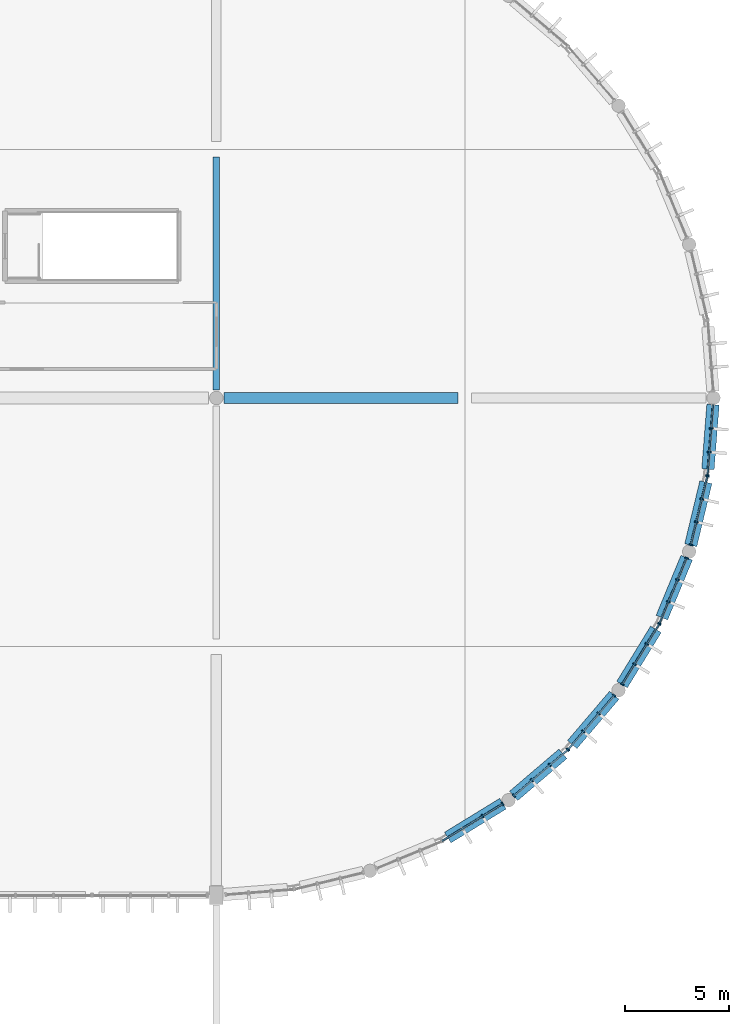
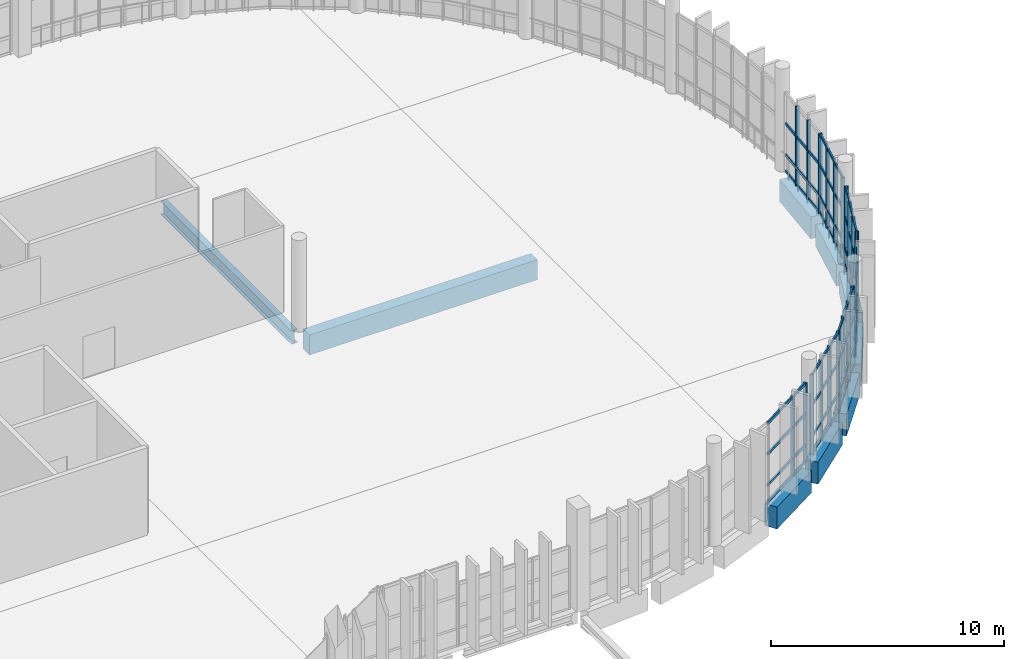
# One storey, part 49 of 112: 52 members, 9 beams, 7 elements without a shape of their own.
"""IFC4 building model written with IfcOpenShell, lengths in metres."""

from ifc_helpers import new_model, si_unit, direction, frame, origin, origin_2d, place, context, subcontext, project, spatial, rectangle, i_section, extrude, material, material_profile, profile_set, type_object, element, aggregate, save


model = new_model("IFC4")

# Units and contexts
model_context = context("Model", 3, precision=1e-05, world=origin(), true_north=direction((0.0, 1.0)))
body_context = subcontext(model_context, "Body", "Model", "MODEL_VIEW")
ifc_project = project(units=[si_unit("LENGTHUNIT", "METRE"), si_unit("AREAUNIT", "SQUARE_METRE"), si_unit("VOLUMEUNIT", "CUBIC_METRE"), si_unit("PLANEANGLEUNIT", "RADIAN"), si_unit("MASSUNIT", "GRAM", prefix="KILO")], contexts=[model_context])

# Site, building, storey
site_placement = place(None, origin())
site = spatial("IfcSite", under=ifc_project, at=site_placement, CompositionType="ELEMENT")
building_placement = place(site_placement, origin())
building = spatial("IfcBuilding", under=site, at=building_placement, Name="Kamomehara Wholesale Market", CompositionType="ELEMENT")
storey_placement = place(building_placement, frame((0.0, 0.0, 6.60009765625)))
storey = spatial("IfcBuildingStorey", under=building, at=storey_placement, Name="L01", CompositionType="ELEMENT", Elevation=6.60009765625)

# Beams
ifc_material_1 = material(Name="Precast concrete Fc45 (C40/50)", Category="concrete")
ifc_material_profile_1 = material_profile(ifc_material_1, rectangle(XDim=0.550048828125, YDim=1.050048828125, at=origin_2d()), Name="PC-GRD-550x1050")
ifc_profile_set_1 = profile_set([ifc_material_profile_1], Name="Precast concrete Fc45 (C40/50)")
beam_type_1 = type_object("IfcBeamType", Name="BM-PG1050", PredefinedType="T_BEAM", material=ifc_profile_set_1)
beam_1_placement = place(storey_placement, frame((180.375, 132.0, -0.8671875), z_axis=(1.0, 0.0, 0.0), x_axis=(0.0, 1.0, 0.0)))
element("IfcBeam", 1, at=beam_1_placement, inside=storey, type_object=beam_type_1, Name="Beam PG-08 L01", PredefinedType="T_BEAM", context=body_context, shape_type="SweptSolid", body=[
    extrude(rectangle(XDim=0.550048828125, YDim=1.050048828125, at=origin_2d()), origin(), (0.0, 0.0, 1.0), 11.300048828125),
])
ifc_material_2 = material(Name="Concrete Fc36 (C35/45)", Category="concrete")
ifc_material_profile_2 = material_profile(ifc_material_2, rectangle(XDim=0.60009765625, YDim=1.14990234375, at=origin_2d()), Name="RC-SEB-600x1150")
ifc_profile_set_2 = profile_set([ifc_material_profile_2], Name="Concrete Fc36 (C35/45)")
beam_type_2 = type_object("IfcBeamType", Name="BM-SEB1150-EXT", PredefinedType="SPANDREL", material=ifc_profile_set_2)
beam_2_placement = place(storey_placement, frame((191.1689453125, 110.782958984375, -0.927001953125), z_axis=(0.852512568137, 0.522706725773, 0.0), x_axis=(-0.522706725773, 0.852512568137, 0.0)))
element("IfcBeam", 2, at=beam_2_placement, inside=storey, type_object=beam_type_2, Name="Beam SEB-02E L01", PredefinedType="SPANDREL", context=body_context, shape_type="SweptSolid", body=[
    extrude(rectangle(XDim=0.60009765625, YDim=1.14990234375, at=origin_2d()), origin(), (0.0, 0.0, 1.0), 3.126220703125),
])
for number, where, z_axis, x_axis, name in (
    (3, (194.35009765625, 112.7919921875, -0.927001953125), (0.760704641809, 0.649098180501, 0.0), (-0.649098180501, 0.760704641809, 0.0), "Beam SEB-02E L01"),
    (4, (197.178955078125, 115.27197265625, -0.927001953125), (0.649098180501, 0.760704641809, 0.0), (-0.760704641809, 0.649098180501, 0.0), "Beam SEB-02E L01"),
):
    element("IfcBeam", number, at=place(storey_placement, frame(where, z_axis=z_axis, x_axis=x_axis)), inside=storey, type_object=beam_type_2, Name=name, PredefinedType="SPANDREL", context=body_context, shape_type="SweptSolid", body=[
        extrude(rectangle(XDim=0.60009765625, YDim=1.14990234375, at=origin_2d()), origin(), (0.0, 0.0, 1.0), 3.1259765625),
    ])
for number, where, z_axis, x_axis, name in (
    (5, (199.5830078125, 118.166015625, -0.927001953125), (0.522706725773, 0.852512568137, 0.0), (-0.852512568137, 0.522706725773, 0.0), "Beam SEB-02E L01"),
    (6, (201.506103515625, 121.39990234375, -0.897216796875), (0.382806979073, 0.923828348111, 0.0), (-0.923828348111, 0.382806979073, 0.0), "Beam SEB-02E L01"),
):
    element("IfcBeam", number, at=place(storey_placement, frame(where, z_axis=z_axis, x_axis=x_axis)), inside=storey, type_object=beam_type_2, Name=name, PredefinedType="SPANDREL", context=body_context, shape_type="SweptSolid", body=[
        extrude(rectangle(XDim=0.60009765625, YDim=1.14990234375, at=origin_2d()), origin(), (0.0, 0.0, 1.0), 3.126220703125),
    ])
beam_3_placement = place(storey_placement, frame((202.89990234375, 124.89501953125, -0.897216796875), z_axis=(0.233485181261, 0.972360360222, 0.0), x_axis=(-0.972360360222, 0.233485181261, 0.0)))
element("IfcBeam", 7, at=beam_3_placement, inside=storey, type_object=beam_type_2, Name="Beam SEB-02E L01", PredefinedType="SPANDREL", context=body_context, shape_type="SweptSolid", body=[
    extrude(rectangle(XDim=0.60009765625, YDim=1.14990234375, at=origin_2d()), origin(), (0.0, 0.0, 1.0), 3.12646484375),
])
beam_4_placement = place(storey_placement, frame((203.72998046875, 128.56494140625, -0.897216796875), z_axis=(0.078422618872, 0.996920203852, 0.0), x_axis=(-0.996920203852, 0.078422618872, 0.0)))
element("IfcBeam", 8, at=beam_4_placement, inside=storey, type_object=beam_type_2, Name="Beam SEB-02E L01", PredefinedType="SPANDREL", context=body_context, shape_type="SweptSolid", body=[
    extrude(rectangle(XDim=0.60009765625, YDim=1.14990234375, at=origin_2d()), origin(), (0.0, 0.0, 1.0), 3.12548828125),
])
ifc_material_3 = material(Name="Steel SN490B", Category="steel")
ifc_material_profile_3 = material_profile(ifc_material_3, i_section(OverallWidth=0.300048828125, OverallDepth=0.699951171875, WebThickness=0.012939453125, FlangeThickness=0.02392578125, FilletRadius=0.02197265625, at=origin_2d()), Name="H-700x300x13x24")
ifc_profile_set_3 = profile_set([ifc_material_profile_3], Name="Steel SN490B")
beam_type_3 = type_object("IfcBeamType", Name="BM-ST-H700", PredefinedType="BEAM", material=ifc_profile_set_3)
beam_5_placement = place(storey_placement, frame((180.0, 132.375, -0.692138671875), z_axis=(0.0, 1.0, 0.0), x_axis=(-1.0, 0.0, 0.0)))
element("IfcBeam", 9, at=beam_5_placement, inside=storey, type_object=beam_type_3, Name="Beam SG-03 L01", PredefinedType="BEAM", context=body_context, shape_type="SweptSolid", body=[
    extrude(i_section(OverallWidth=0.300048828125, OverallDepth=0.699951171875, WebThickness=0.012939453125, FlangeThickness=0.02392578125, FilletRadius=0.02197265625, at=origin_2d()), origin(), (0.0, 0.0, 1.0), 11.25),
])

# Curtain wall, members
ifc_material_4 = material(Name="Anodised aluminium 6063-T5", Category="aluminium")
curtain_wall_type = type_object("IfcCurtainWallType", Name="CW-UN-05", PredefinedType="NOTDEFINED", material=ifc_material_4)
curtain_wall_1_placement = place(storey_placement, origin())
curtain_wall_1 = element("IfcCurtainWall", 10, at=curtain_wall_1_placement, inside=storey, type_object=curtain_wall_type, Name="Unitised curtain wall CW-107", PredefinedType="NOTDEFINED")
ifc_material_5 = material(Name="Anodised aluminium 6063-T5", Category="aluminium")
ifc_material_profile_4 = material_profile(ifc_material_5, rectangle(XDim=0.074951171875, YDim=0.179931640625, at=origin_2d()), Name="ALU-MUL-75x180")
ifc_profile_set_4 = profile_set([ifc_material_profile_4], Name="Anodised aluminium 6063-T5")
member_type_1 = type_object("IfcMemberType", Name="CW-MUL-180", PredefinedType="MULLION", material=ifc_profile_set_4)
member_1_placement = place(storey_placement, frame((203.885009765625, 130.529052734375, 0.0), z_axis=(0.0, 0.0, 1.0), x_axis=(-0.078351218432, -0.996925817988, 0.0)))
member_1 = element("IfcMember", 11, at=member_1_placement, type_object=member_type_1, Name="Mullion CW-107.1", PredefinedType="MULLION", context=body_context, shape_type="SweptSolid", body=[
    extrude(rectangle(XDim=0.074951171875, YDim=0.179931640625, at=origin_2d()), origin(), (0.0, 0.0, 1.0), 4.179931640625),
])
member_2_placement = place(storey_placement, frame((203.794921875, 129.39306640625, 0.0), z_axis=(0.0, 0.0, 1.0), x_axis=(-0.078351218432, -0.996925817988, 0.0)))
member_2 = element("IfcMember", 12, at=member_2_placement, type_object=member_type_1, Name="Mullion CW-107.2", PredefinedType="MULLION", context=body_context, shape_type="SweptSolid", body=[
    extrude(rectangle(XDim=0.074951171875, YDim=0.179931640625, at=origin_2d()), origin(), (0.0, 0.0, 1.0), 4.179931640625),
])
member_3_placement = place(storey_placement, frame((203.7060546875, 128.256103515625, 0.0), z_axis=(0.0, 0.0, 1.0), x_axis=(-0.078351218432, -0.996925817988, 0.0)))
member_3 = element("IfcMember", 13, at=member_3_placement, type_object=member_type_1, Name="Mullion CW-107.3", PredefinedType="MULLION", context=body_context, shape_type="SweptSolid", body=[
    extrude(rectangle(XDim=0.074951171875, YDim=0.179931640625, at=origin_2d()), origin(), (0.0, 0.0, 1.0), 4.179931640625),
])

curtain_wall_2_placement = place(storey_placement, origin())
curtain_wall_2 = element("IfcCurtainWall", 14, at=curtain_wall_2_placement, inside=storey, type_object=curtain_wall_type, Name="Unitised curtain wall CW-108", PredefinedType="NOTDEFINED")
member_4_placement = place(storey_placement, frame((203.702880859375, 128.236083984375, 0.0), z_axis=(0.0, 0.0, 1.0), x_axis=(-0.233859436457, -0.972270417106, 0.0)))
member_4 = element("IfcMember", 15, at=member_4_placement, type_object=member_type_1, Name="Mullion CW-108.0", PredefinedType="MULLION", context=body_context, shape_type="SweptSolid", body=[
    extrude(rectangle(XDim=0.074951171875, YDim=0.179931640625, at=origin_2d()), origin(), (0.0, 0.0, 1.0), 4.179931640625),
])
member_5_placement = place(storey_placement, frame((203.43603515625, 127.126953125, 0.0), z_axis=(0.0, 0.0, 1.0), x_axis=(-0.233859436457, -0.972270417106, 0.0)))
member_5 = element("IfcMember", 16, at=member_5_placement, type_object=member_type_1, Name="Mullion CW-108.1", PredefinedType="MULLION", context=body_context, shape_type="SweptSolid", body=[
    extrude(rectangle(XDim=0.074951171875, YDim=0.179931640625, at=origin_2d()), origin(), (0.0, 0.0, 1.0), 4.179931640625),
])
member_6_placement = place(storey_placement, frame((203.169921875, 126.01904296875, 0.0), z_axis=(0.0, 0.0, 1.0), x_axis=(-0.233859436457, -0.972270417106, 0.0)))
member_6 = element("IfcMember", 17, at=member_6_placement, type_object=member_type_1, Name="Mullion CW-108.2", PredefinedType="MULLION", context=body_context, shape_type="SweptSolid", body=[
    extrude(rectangle(XDim=0.074951171875, YDim=0.179931640625, at=origin_2d()), origin(), (0.0, 0.0, 1.0), 4.179931640625),
])
member_7_placement = place(storey_placement, frame((202.903076171875, 124.909912109375, 0.0), z_axis=(0.0, 0.0, 1.0), x_axis=(-0.233859436457, -0.972270417106, 0.0)))
member_7 = element("IfcMember", 18, at=member_7_placement, type_object=member_type_1, Name="Mullion CW-108.3", PredefinedType="MULLION", context=body_context, shape_type="SweptSolid", body=[
    extrude(rectangle(XDim=0.074951171875, YDim=0.179931640625, at=origin_2d()), origin(), (0.0, 0.0, 1.0), 4.179931640625),
])

curtain_wall_3_placement = place(storey_placement, origin())
curtain_wall_3 = element("IfcCurtainWall", 19, at=curtain_wall_3_placement, inside=storey, type_object=curtain_wall_type, Name="Unitised curtain wall CW-109", PredefinedType="NOTDEFINED")
member_8_placement = place(storey_placement, frame((202.697021484375, 124.27392578125, 0.0), z_axis=(0.0, 0.0, 1.0), x_axis=(-0.382601194677, -0.923913592189, 0.0)))
member_8 = element("IfcMember", 20, at=member_8_placement, type_object=member_type_1, Name="Mullion CW-109.0", PredefinedType="MULLION", context=body_context, shape_type="SweptSolid", body=[
    extrude(rectangle(XDim=0.074951171875, YDim=0.179931640625, at=origin_2d()), origin(), (0.0, 0.0, 1.0), 4.179931640625),
])
member_9_placement = place(storey_placement, frame((202.260986328125, 123.219970703125, 0.0), z_axis=(0.0, 0.0, 1.0), x_axis=(-0.382601194677, -0.923913592189, 0.0)))
member_9 = element("IfcMember", 21, at=member_9_placement, type_object=member_type_1, Name="Mullion CW-109.1", PredefinedType="MULLION", context=body_context, shape_type="SweptSolid", body=[
    extrude(rectangle(XDim=0.074951171875, YDim=0.179931640625, at=origin_2d()), origin(), (0.0, 0.0, 1.0), 4.179931640625),
])
member_10_placement = place(storey_placement, frame((201.823974609375, 122.1669921875, 0.0), z_axis=(0.0, 0.0, 1.0), x_axis=(-0.382601194677, -0.923913592189, 0.0)))
member_10 = element("IfcMember", 22, at=member_10_placement, type_object=member_type_1, Name="Mullion CW-109.2", PredefinedType="MULLION", context=body_context, shape_type="SweptSolid", body=[
    extrude(rectangle(XDim=0.074951171875, YDim=0.179931640625, at=origin_2d()), origin(), (0.0, 0.0, 1.0), 4.179931640625),
])
member_11_placement = place(storey_placement, frame((201.387939453125, 121.113037109375, 0.0), z_axis=(0.0, 0.0, 1.0), x_axis=(-0.382601194677, -0.923913592189, 0.0)))
member_11 = element("IfcMember", 23, at=member_11_placement, type_object=member_type_1, Name="Mullion CW-109.3", PredefinedType="MULLION", context=body_context, shape_type="SweptSolid", body=[
    extrude(rectangle(XDim=0.074951171875, YDim=0.179931640625, at=origin_2d()), origin(), (0.0, 0.0, 1.0), 4.179931640625),
])

curtain_wall_4_placement = place(storey_placement, origin())
curtain_wall_4 = element("IfcCurtainWall", 24, at=curtain_wall_4_placement, inside=storey, type_object=curtain_wall_type, Name="Unitised curtain wall CW-110", PredefinedType="NOTDEFINED")
member_12_placement = place(storey_placement, frame((201.37890625, 121.094970703125, 0.0), z_axis=(0.0, 0.0, 1.0), x_axis=(-0.522726231171, -0.852500608355, 0.0)))
member_12 = element("IfcMember", 25, at=member_12_placement, type_object=member_type_1, Name="Mullion CW-110.0", PredefinedType="MULLION", context=body_context, shape_type="SweptSolid", body=[
    extrude(rectangle(XDim=0.074951171875, YDim=0.179931640625, at=origin_2d()), origin(), (0.0, 0.0, 1.0), 4.179931640625),
])
member_13_placement = place(storey_placement, frame((200.782958984375, 120.123046875, 0.0), z_axis=(0.0, 0.0, 1.0), x_axis=(-0.522726231171, -0.852500608355, 0.0)))
member_13 = element("IfcMember", 26, at=member_13_placement, type_object=member_type_1, Name="Mullion CW-110.1", PredefinedType="MULLION", context=body_context, shape_type="SweptSolid", body=[
    extrude(rectangle(XDim=0.074951171875, YDim=0.179931640625, at=origin_2d()), origin(), (0.0, 0.0, 1.0), 4.179931640625),
])
member_14_placement = place(storey_placement, frame((200.18701171875, 119.15087890625, 0.0), z_axis=(0.0, 0.0, 1.0), x_axis=(-0.522726231171, -0.852500608355, 0.0)))
member_14 = element("IfcMember", 27, at=member_14_placement, type_object=member_type_1, Name="Mullion CW-110.2", PredefinedType="MULLION", context=body_context, shape_type="SweptSolid", body=[
    extrude(rectangle(XDim=0.074951171875, YDim=0.179931640625, at=origin_2d()), origin(), (0.0, 0.0, 1.0), 4.179931640625),
])
member_15_placement = place(storey_placement, frame((199.591064453125, 118.178955078125, 0.0), z_axis=(0.0, 0.0, 1.0), x_axis=(-0.522726231171, -0.852500608355, 0.0)))
member_15 = element("IfcMember", 28, at=member_15_placement, type_object=member_type_1, Name="Mullion CW-110.3", PredefinedType="MULLION", context=body_context, shape_type="SweptSolid", body=[
    extrude(rectangle(XDim=0.074951171875, YDim=0.179931640625, at=origin_2d()), origin(), (0.0, 0.0, 1.0), 4.179931640625),
])

curtain_wall_5_placement = place(storey_placement, origin())
curtain_wall_5 = element("IfcCurtainWall", 29, at=curtain_wall_5_placement, inside=storey, type_object=curtain_wall_type, Name="Unitised curtain wall CW-111", PredefinedType="NOTDEFINED")
member_16_placement = place(storey_placement, frame((199.197998046875, 117.637939453125, 0.0), z_axis=(0.0, 0.0, 1.0), x_axis=(-0.649369742519, -0.760472838108, 0.0)))
member_16 = element("IfcMember", 30, at=member_16_placement, type_object=member_type_1, Name="Mullion CW-111.0", PredefinedType="MULLION", context=body_context, shape_type="SweptSolid", body=[
    extrude(rectangle(XDim=0.074951171875, YDim=0.179931640625, at=origin_2d()), origin(), (0.0, 0.0, 1.0), 4.179931640625),
])
member_17_placement = place(storey_placement, frame((198.4580078125, 116.77099609375, 0.0), z_axis=(0.0, 0.0, 1.0), x_axis=(-0.649369742519, -0.760472838108, 0.0)))
member_17 = element("IfcMember", 31, at=member_17_placement, type_object=member_type_1, Name="Mullion CW-111.1", PredefinedType="MULLION", context=body_context, shape_type="SweptSolid", body=[
    extrude(rectangle(XDim=0.074951171875, YDim=0.179931640625, at=origin_2d()), origin(), (0.0, 0.0, 1.0), 4.179931640625),
])
member_18_placement = place(storey_placement, frame((197.717041015625, 115.904052734375, 0.0), z_axis=(0.0, 0.0, 1.0), x_axis=(-0.649369742519, -0.760472838108, 0.0)))
member_18 = element("IfcMember", 32, at=member_18_placement, type_object=member_type_1, Name="Mullion CW-111.2", PredefinedType="MULLION", context=body_context, shape_type="SweptSolid", body=[
    extrude(rectangle(XDim=0.074951171875, YDim=0.179931640625, at=origin_2d()), origin(), (0.0, 0.0, 1.0), 4.179931640625),
])
member_19_placement = place(storey_placement, frame((196.97705078125, 115.037109375, 0.0), z_axis=(0.0, 0.0, 1.0), x_axis=(-0.649369742519, -0.760472838108, 0.0)))
member_19 = element("IfcMember", 33, at=member_19_placement, type_object=member_type_1, Name="Mullion CW-111.3", PredefinedType="MULLION", context=body_context, shape_type="SweptSolid", body=[
    extrude(rectangle(XDim=0.074951171875, YDim=0.179931640625, at=origin_2d()), origin(), (0.0, 0.0, 1.0), 4.179931640625),
])

curtain_wall_6_placement = place(storey_placement, origin())
curtain_wall_6 = element("IfcCurtainWall", 34, at=curtain_wall_6_placement, inside=storey, type_object=curtain_wall_type, Name="Unitised curtain wall CW-112", PredefinedType="NOTDEFINED")
member_20_placement = place(storey_placement, frame((196.962890625, 115.02294921875, 0.0), z_axis=(0.0, 0.0, 1.0), x_axis=(-0.760472838108, -0.649369742519, 0.0)))
member_20 = element("IfcMember", 35, at=member_20_placement, type_object=member_type_1, Name="Mullion CW-112.0", PredefinedType="MULLION", context=body_context, shape_type="SweptSolid", body=[
    extrude(rectangle(XDim=0.074951171875, YDim=0.179931640625, at=origin_2d()), origin(), (0.0, 0.0, 1.0), 4.179931640625),
])
member_21_placement = place(storey_placement, frame((196.095947265625, 114.282958984375, 0.0), z_axis=(0.0, 0.0, 1.0), x_axis=(-0.760472838108, -0.649369742519, 0.0)))
member_21 = element("IfcMember", 36, at=member_21_placement, type_object=member_type_1, Name="Mullion CW-112.1", PredefinedType="MULLION", context=body_context, shape_type="SweptSolid", body=[
    extrude(rectangle(XDim=0.074951171875, YDim=0.179931640625, at=origin_2d()), origin(), (0.0, 0.0, 1.0), 4.179931640625),
])
member_22_placement = place(storey_placement, frame((195.22900390625, 113.5419921875, 0.0), z_axis=(0.0, 0.0, 1.0), x_axis=(-0.760472838108, -0.649369742519, 0.0)))
member_22 = element("IfcMember", 37, at=member_22_placement, type_object=member_type_1, Name="Mullion CW-112.2", PredefinedType="MULLION", context=body_context, shape_type="SweptSolid", body=[
    extrude(rectangle(XDim=0.074951171875, YDim=0.179931640625, at=origin_2d()), origin(), (0.0, 0.0, 1.0), 4.179931640625),
])
member_23_placement = place(storey_placement, frame((194.362060546875, 112.802001953125, 0.0), z_axis=(0.0, 0.0, 1.0), x_axis=(-0.760472838108, -0.649369742519, 0.0)))
member_23 = element("IfcMember", 38, at=member_23_placement, type_object=member_type_1, Name="Mullion CW-112.3", PredefinedType="MULLION", context=body_context, shape_type="SweptSolid", body=[
    extrude(rectangle(XDim=0.074951171875, YDim=0.179931640625, at=origin_2d()), origin(), (0.0, 0.0, 1.0), 4.179931640625),
])

curtain_wall_7_placement = place(storey_placement, origin())
curtain_wall_7 = element("IfcCurtainWall", 39, at=curtain_wall_7_placement, inside=storey, type_object=curtain_wall_type, Name="Unitised curtain wall CW-113", PredefinedType="NOTDEFINED")
member_24_placement = place(storey_placement, frame((193.821044921875, 112.408935546875, 0.0), z_axis=(0.0, 0.0, 1.0), x_axis=(-0.852500608355, -0.522726231171, 0.0)))
member_24 = element("IfcMember", 40, at=member_24_placement, type_object=member_type_1, Name="Mullion CW-113.0", PredefinedType="MULLION", context=body_context, shape_type="SweptSolid", body=[
    extrude(rectangle(XDim=0.074951171875, YDim=0.179931640625, at=origin_2d()), origin(), (0.0, 0.0, 1.0), 4.179931640625),
])
member_25_placement = place(storey_placement, frame((192.84912109375, 111.81298828125, 0.0), z_axis=(0.0, 0.0, 1.0), x_axis=(-0.852500608355, -0.522726231171, 0.0)))
member_25 = element("IfcMember", 41, at=member_25_placement, type_object=member_type_1, Name="Mullion CW-113.1", PredefinedType="MULLION", context=body_context, shape_type="SweptSolid", body=[
    extrude(rectangle(XDim=0.074951171875, YDim=0.179931640625, at=origin_2d()), origin(), (0.0, 0.0, 1.0), 4.179931640625),
])

# Member
ifc_material_6 = material(Name="Anodised aluminium 6063-T5", Category="aluminium")
ifc_material_profile_5 = material_profile(ifc_material_6, rectangle(XDim=0.074951171875, YDim=0.14990234375, at=origin_2d()), Name="ALU-TRN-75x150")
ifc_profile_set_5 = profile_set([ifc_material_profile_5], Name="Anodised aluminium 6063-T5")
member_type_2 = type_object("IfcMemberType", Name="CW-TRN-150", PredefinedType="USERDEFINED", material=ifc_profile_set_5)
member_26_placement = place(storey_placement, frame((203.97412109375, 131.666015625, 0.039794921875), z_axis=(-0.078372073333, -0.996924178723, 0.0), x_axis=(0.996924178723, -0.078372073333, 0.0)))
member_26 = element("IfcMember", 42, at=member_26_placement, type_object=member_type_2, Name="Transom CW-107.0", ObjectType="TRANSOM", PredefinedType="USERDEFINED", context=body_context, shape_type="SweptSolid", body=[
    extrude(rectangle(XDim=0.074951171875, YDim=0.14990234375, at=origin_2d()), origin(), (0.0, 0.0, 1.0), 3.42041015625),
])

member_27_placement = place(storey_placement, frame((203.97412109375, 131.666015625, 0.89990234375), z_axis=(-0.078372073333, -0.996924178723, 0.0), x_axis=(0.996924178723, -0.078372073333, 0.0)))
member_27 = element("IfcMember", 43, at=member_27_placement, type_object=member_type_2, Name="Transom CW-107.1", ObjectType="TRANSOM", PredefinedType="USERDEFINED", context=body_context, shape_type="SweptSolid", body=[
    extrude(rectangle(XDim=0.074951171875, YDim=0.14990234375, at=origin_2d()), origin(), (0.0, 0.0, 1.0), 3.42041015625),
])

member_28_placement = place(storey_placement, frame((203.97412109375, 131.666015625, 2.539794921875), z_axis=(-0.078372073333, -0.996924178723, 0.0), x_axis=(0.996924178723, -0.078372073333, 0.0)))
member_28 = element("IfcMember", 44, at=member_28_placement, type_object=member_type_2, Name="Transom CW-107.2", ObjectType="TRANSOM", PredefinedType="USERDEFINED", context=body_context, shape_type="SweptSolid", body=[
    extrude(rectangle(XDim=0.074951171875, YDim=0.14990234375, at=origin_2d()), origin(), (0.0, 0.0, 1.0), 3.42041015625),
])

aggregate(curtain_wall_1, [member_1, member_2, member_3, member_26, member_27, member_28])

member_29_placement = place(storey_placement, frame((203.702880859375, 128.236083984375, 0.039794921875), z_axis=(-0.23379399896, -0.972286154406, 0.0), x_axis=(0.972286154406, -0.23379399896, 0.0)))
member_29 = element("IfcMember", 45, at=member_29_placement, type_object=member_type_2, Name="Transom CW-108.0", ObjectType="TRANSOM", PredefinedType="USERDEFINED", context=body_context, shape_type="SweptSolid", body=[
    extrude(rectangle(XDim=0.074951171875, YDim=0.14990234375, at=origin_2d()), origin(), (0.0, 0.0, 1.0), 3.4208984375),
])

member_30_placement = place(storey_placement, frame((203.702880859375, 128.236083984375, 0.89990234375), z_axis=(-0.23379399896, -0.972286154406, 0.0), x_axis=(0.972286154406, -0.23379399896, 0.0)))
member_30 = element("IfcMember", 46, at=member_30_placement, type_object=member_type_2, Name="Transom CW-108.1", ObjectType="TRANSOM", PredefinedType="USERDEFINED", context=body_context, shape_type="SweptSolid", body=[
    extrude(rectangle(XDim=0.074951171875, YDim=0.14990234375, at=origin_2d()), origin(), (0.0, 0.0, 1.0), 3.4208984375),
])

member_31_placement = place(storey_placement, frame((203.702880859375, 128.236083984375, 2.539794921875), z_axis=(-0.23379399896, -0.972286154406, 0.0), x_axis=(0.972286154406, -0.23379399896, 0.0)))
member_31 = element("IfcMember", 47, at=member_31_placement, type_object=member_type_2, Name="Transom CW-108.2", ObjectType="TRANSOM", PredefinedType="USERDEFINED", context=body_context, shape_type="SweptSolid", body=[
    extrude(rectangle(XDim=0.074951171875, YDim=0.14990234375, at=origin_2d()), origin(), (0.0, 0.0, 1.0), 3.4208984375),
])

member_32_placement = place(storey_placement, frame((203.702880859375, 128.236083984375, 4.139892578125), z_axis=(-0.23379399896, -0.972286154406, 0.0), x_axis=(0.972286154406, -0.23379399896, 0.0)))
member_32 = element("IfcMember", 48, at=member_32_placement, type_object=member_type_2, Name="Transom CW-108.3", ObjectType="TRANSOM", PredefinedType="USERDEFINED", context=body_context, shape_type="SweptSolid", body=[
    extrude(rectangle(XDim=0.074951171875, YDim=0.14990234375, at=origin_2d()), origin(), (0.0, 0.0, 1.0), 3.4208984375),
])

aggregate(curtain_wall_2, [member_4, member_5, member_6, member_7, member_29, member_30, member_31, member_32])

member_33_placement = place(storey_placement, frame((202.697021484375, 124.27392578125, 0.039794921875), z_axis=(-0.382633303581, -0.92390029494, 0.0), x_axis=(0.92390029494, -0.382633303581, 0.0)))
member_33 = element("IfcMember", 49, at=member_33_placement, type_object=member_type_2, Name="Transom CW-109.0", ObjectType="TRANSOM", PredefinedType="USERDEFINED", context=body_context, shape_type="SweptSolid", body=[
    extrude(rectangle(XDim=0.074951171875, YDim=0.14990234375, at=origin_2d()), origin(), (0.0, 0.0, 1.0), 3.421142578125),
])

member_34_placement = place(storey_placement, frame((202.697021484375, 124.27392578125, 0.89990234375), z_axis=(-0.382633303581, -0.92390029494, 0.0), x_axis=(0.92390029494, -0.382633303581, 0.0)))
member_34 = element("IfcMember", 50, at=member_34_placement, type_object=member_type_2, Name="Transom CW-109.1", ObjectType="TRANSOM", PredefinedType="USERDEFINED", context=body_context, shape_type="SweptSolid", body=[
    extrude(rectangle(XDim=0.074951171875, YDim=0.14990234375, at=origin_2d()), origin(), (0.0, 0.0, 1.0), 3.421142578125),
])

member_35_placement = place(storey_placement, frame((202.697021484375, 124.27392578125, 2.539794921875), z_axis=(-0.382633303581, -0.92390029494, 0.0), x_axis=(0.92390029494, -0.382633303581, 0.0)))
member_35 = element("IfcMember", 51, at=member_35_placement, type_object=member_type_2, Name="Transom CW-109.2", ObjectType="TRANSOM", PredefinedType="USERDEFINED", context=body_context, shape_type="SweptSolid", body=[
    extrude(rectangle(XDim=0.074951171875, YDim=0.14990234375, at=origin_2d()), origin(), (0.0, 0.0, 1.0), 3.421142578125),
])

member_36_placement = place(storey_placement, frame((202.697021484375, 124.27392578125, 4.139892578125), z_axis=(-0.382633303581, -0.92390029494, 0.0), x_axis=(0.92390029494, -0.382633303581, 0.0)))
member_36 = element("IfcMember", 52, at=member_36_placement, type_object=member_type_2, Name="Transom CW-109.3", ObjectType="TRANSOM", PredefinedType="USERDEFINED", context=body_context, shape_type="SweptSolid", body=[
    extrude(rectangle(XDim=0.074951171875, YDim=0.14990234375, at=origin_2d()), origin(), (0.0, 0.0, 1.0), 3.421142578125),
])

aggregate(curtain_wall_3, [member_8, member_9, member_10, member_11, member_33, member_34, member_35, member_36])

member_37_placement = place(storey_placement, frame((201.37890625, 121.094970703125, 0.039794921875), z_axis=(-0.522690929397, -0.852522253273, 0.0), x_axis=(0.852522253273, -0.522690929397, 0.0)))
member_37 = element("IfcMember", 53, at=member_37_placement, type_object=member_type_2, Name="Transom CW-110.0", ObjectType="TRANSOM", PredefinedType="USERDEFINED", context=body_context, shape_type="SweptSolid", body=[
    extrude(rectangle(XDim=0.074951171875, YDim=0.14990234375, at=origin_2d()), origin(), (0.0, 0.0, 1.0), 3.42041015625),
])

member_38_placement = place(storey_placement, frame((201.37890625, 121.094970703125, 0.89990234375), z_axis=(-0.522690929397, -0.852522253273, 0.0), x_axis=(0.852522253273, -0.522690929397, 0.0)))
member_38 = element("IfcMember", 54, at=member_38_placement, type_object=member_type_2, Name="Transom CW-110.1", ObjectType="TRANSOM", PredefinedType="USERDEFINED", context=body_context, shape_type="SweptSolid", body=[
    extrude(rectangle(XDim=0.074951171875, YDim=0.14990234375, at=origin_2d()), origin(), (0.0, 0.0, 1.0), 3.42041015625),
])

member_39_placement = place(storey_placement, frame((201.37890625, 121.094970703125, 2.539794921875), z_axis=(-0.522690929397, -0.852522253273, 0.0), x_axis=(0.852522253273, -0.522690929397, 0.0)))
member_39 = element("IfcMember", 55, at=member_39_placement, type_object=member_type_2, Name="Transom CW-110.2", ObjectType="TRANSOM", PredefinedType="USERDEFINED", context=body_context, shape_type="SweptSolid", body=[
    extrude(rectangle(XDim=0.074951171875, YDim=0.14990234375, at=origin_2d()), origin(), (0.0, 0.0, 1.0), 3.42041015625),
])

member_40_placement = place(storey_placement, frame((201.37890625, 121.094970703125, 4.139892578125), z_axis=(-0.522690929397, -0.852522253273, 0.0), x_axis=(0.852522253273, -0.522690929397, 0.0)))
member_40 = element("IfcMember", 56, at=member_40_placement, type_object=member_type_2, Name="Transom CW-110.3", ObjectType="TRANSOM", PredefinedType="USERDEFINED", context=body_context, shape_type="SweptSolid", body=[
    extrude(rectangle(XDim=0.074951171875, YDim=0.14990234375, at=origin_2d()), origin(), (0.0, 0.0, 1.0), 3.42041015625),
])

aggregate(curtain_wall_4, [member_12, member_13, member_14, member_15, member_37, member_38, member_39, member_40])

member_41_placement = place(storey_placement, frame((199.197998046875, 117.637939453125, 0.039794921875), z_axis=(-0.649385243278, -0.760459601697, 0.0), x_axis=(0.760459601697, -0.649385243278, 0.0)))
member_41 = element("IfcMember", 57, at=member_41_placement, type_object=member_type_2, Name="Transom CW-111.0", ObjectType="TRANSOM", PredefinedType="USERDEFINED", context=body_context, shape_type="SweptSolid", body=[
    extrude(rectangle(XDim=0.074951171875, YDim=0.14990234375, at=origin_2d()), origin(), (0.0, 0.0, 1.0), 3.420166015625),
])

member_42_placement = place(storey_placement, frame((199.197998046875, 117.637939453125, 0.89990234375), z_axis=(-0.649385243278, -0.760459601697, 0.0), x_axis=(0.760459601697, -0.649385243278, 0.0)))
member_42 = element("IfcMember", 58, at=member_42_placement, type_object=member_type_2, Name="Transom CW-111.1", ObjectType="TRANSOM", PredefinedType="USERDEFINED", context=body_context, shape_type="SweptSolid", body=[
    extrude(rectangle(XDim=0.074951171875, YDim=0.14990234375, at=origin_2d()), origin(), (0.0, 0.0, 1.0), 3.420166015625),
])

member_43_placement = place(storey_placement, frame((199.197998046875, 117.637939453125, 2.539794921875), z_axis=(-0.649385243278, -0.760459601697, 0.0), x_axis=(0.760459601697, -0.649385243278, 0.0)))
member_43 = element("IfcMember", 59, at=member_43_placement, type_object=member_type_2, Name="Transom CW-111.2", ObjectType="TRANSOM", PredefinedType="USERDEFINED", context=body_context, shape_type="SweptSolid", body=[
    extrude(rectangle(XDim=0.074951171875, YDim=0.14990234375, at=origin_2d()), origin(), (0.0, 0.0, 1.0), 3.420166015625),
])

member_44_placement = place(storey_placement, frame((199.197998046875, 117.637939453125, 4.139892578125), z_axis=(-0.649385243278, -0.760459601697, 0.0), x_axis=(0.760459601697, -0.649385243278, 0.0)))
member_44 = element("IfcMember", 60, at=member_44_placement, type_object=member_type_2, Name="Transom CW-111.3", ObjectType="TRANSOM", PredefinedType="USERDEFINED", context=body_context, shape_type="SweptSolid", body=[
    extrude(rectangle(XDim=0.074951171875, YDim=0.14990234375, at=origin_2d()), origin(), (0.0, 0.0, 1.0), 3.420166015625),
])

aggregate(curtain_wall_5, [member_16, member_17, member_18, member_19, member_41, member_42, member_43, member_44])

member_45_placement = place(storey_placement, frame((196.962890625, 115.02294921875, 0.039794921875), z_axis=(-0.760459601697, -0.649385243278, 0.0), x_axis=(0.649385243278, -0.760459601697, 0.0)))
member_45 = element("IfcMember", 61, at=member_45_placement, type_object=member_type_2, Name="Transom CW-112.0", ObjectType="TRANSOM", PredefinedType="USERDEFINED", context=body_context, shape_type="SweptSolid", body=[
    extrude(rectangle(XDim=0.074951171875, YDim=0.14990234375, at=origin_2d()), origin(), (0.0, 0.0, 1.0), 3.420166015625),
])

member_46_placement = place(storey_placement, frame((196.962890625, 115.02294921875, 0.89990234375), z_axis=(-0.760459601697, -0.649385243278, 0.0), x_axis=(0.649385243278, -0.760459601697, 0.0)))
member_46 = element("IfcMember", 62, at=member_46_placement, type_object=member_type_2, Name="Transom CW-112.1", ObjectType="TRANSOM", PredefinedType="USERDEFINED", context=body_context, shape_type="SweptSolid", body=[
    extrude(rectangle(XDim=0.074951171875, YDim=0.14990234375, at=origin_2d()), origin(), (0.0, 0.0, 1.0), 3.420166015625),
])

member_47_placement = place(storey_placement, frame((196.962890625, 115.02294921875, 2.539794921875), z_axis=(-0.760459601697, -0.649385243278, 0.0), x_axis=(0.649385243278, -0.760459601697, 0.0)))
member_47 = element("IfcMember", 63, at=member_47_placement, type_object=member_type_2, Name="Transom CW-112.2", ObjectType="TRANSOM", PredefinedType="USERDEFINED", context=body_context, shape_type="SweptSolid", body=[
    extrude(rectangle(XDim=0.074951171875, YDim=0.14990234375, at=origin_2d()), origin(), (0.0, 0.0, 1.0), 3.420166015625),
])

member_48_placement = place(storey_placement, frame((196.962890625, 115.02294921875, 4.139892578125), z_axis=(-0.760459601697, -0.649385243278, 0.0), x_axis=(0.649385243278, -0.760459601697, 0.0)))
member_48 = element("IfcMember", 64, at=member_48_placement, type_object=member_type_2, Name="Transom CW-112.3", ObjectType="TRANSOM", PredefinedType="USERDEFINED", context=body_context, shape_type="SweptSolid", body=[
    extrude(rectangle(XDim=0.074951171875, YDim=0.14990234375, at=origin_2d()), origin(), (0.0, 0.0, 1.0), 3.420166015625),
])

aggregate(curtain_wall_6, [member_20, member_21, member_22, member_23, member_45, member_46, member_47, member_48])

member_49_placement = place(storey_placement, frame((193.821044921875, 112.408935546875, 0.039794921875), z_axis=(-0.852522253273, -0.522690929397, 0.0), x_axis=(0.522690929397, -0.852522253273, 0.0)))
member_49 = element("IfcMember", 65, at=member_49_placement, type_object=member_type_2, Name="Transom CW-113.0", ObjectType="TRANSOM", PredefinedType="USERDEFINED", context=body_context, shape_type="SweptSolid", body=[
    extrude(rectangle(XDim=0.074951171875, YDim=0.14990234375, at=origin_2d()), origin(), (0.0, 0.0, 1.0), 3.42041015625),
])

member_50_placement = place(storey_placement, frame((193.821044921875, 112.408935546875, 0.89990234375), z_axis=(-0.852522253273, -0.522690929397, 0.0), x_axis=(0.522690929397, -0.852522253273, 0.0)))
member_50 = element("IfcMember", 66, at=member_50_placement, type_object=member_type_2, Name="Transom CW-113.1", ObjectType="TRANSOM", PredefinedType="USERDEFINED", context=body_context, shape_type="SweptSolid", body=[
    extrude(rectangle(XDim=0.074951171875, YDim=0.14990234375, at=origin_2d()), origin(), (0.0, 0.0, 1.0), 3.42041015625),
])

member_51_placement = place(storey_placement, frame((193.821044921875, 112.408935546875, 2.539794921875), z_axis=(-0.852522253273, -0.522690929397, 0.0), x_axis=(0.522690929397, -0.852522253273, 0.0)))
member_51 = element("IfcMember", 67, at=member_51_placement, type_object=member_type_2, Name="Transom CW-113.2", ObjectType="TRANSOM", PredefinedType="USERDEFINED", context=body_context, shape_type="SweptSolid", body=[
    extrude(rectangle(XDim=0.074951171875, YDim=0.14990234375, at=origin_2d()), origin(), (0.0, 0.0, 1.0), 3.42041015625),
])

member_52_placement = place(storey_placement, frame((193.821044921875, 112.408935546875, 4.139892578125), z_axis=(-0.852522253273, -0.522690929397, 0.0), x_axis=(0.522690929397, -0.852522253273, 0.0)))
member_52 = element("IfcMember", 68, at=member_52_placement, type_object=member_type_2, Name="Transom CW-113.3", ObjectType="TRANSOM", PredefinedType="USERDEFINED", context=body_context, shape_type="SweptSolid", body=[
    extrude(rectangle(XDim=0.074951171875, YDim=0.14990234375, at=origin_2d()), origin(), (0.0, 0.0, 1.0), 3.42041015625),
])

aggregate(curtain_wall_7, [member_24, member_25, member_49, member_50, member_51, member_52])

save(model, "model.ifc")
